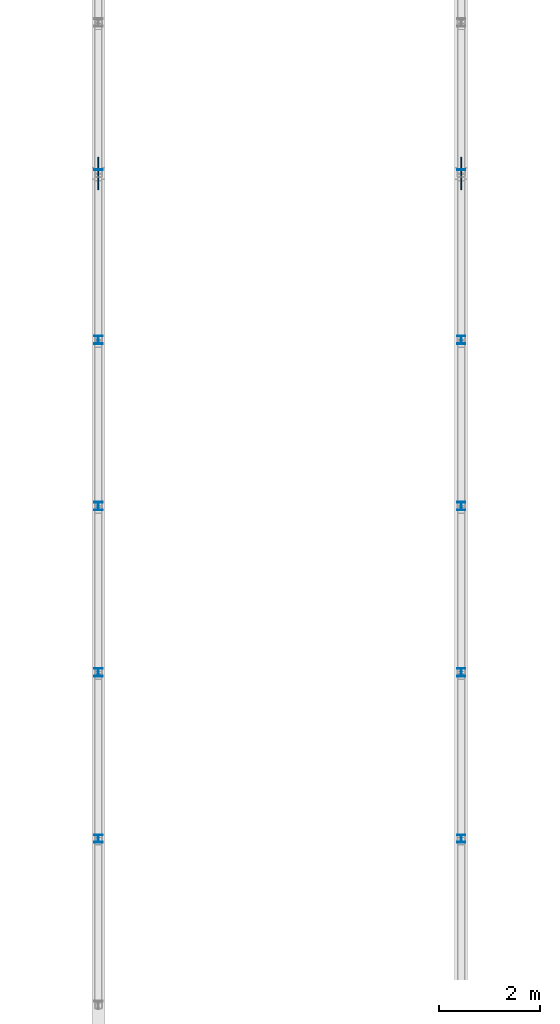
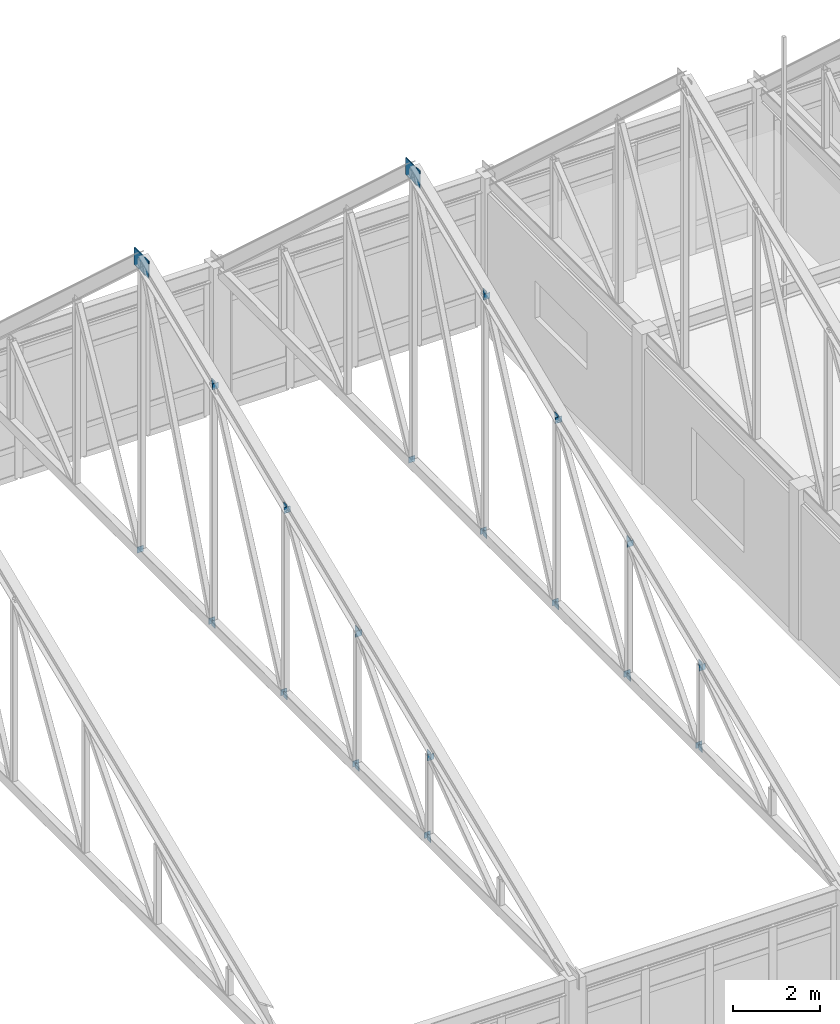
# One storey, part 101 of 136: 36 plates.
"""IFC4 building model written with IfcOpenShell, lengths in metres."""

import ifcopenshell
import ifcopenshell.guid

model = None  # the IFC model being written
_history = None  # IfcOwnerHistory: only IFC2X3 demands one
_inside = {}  # id of a spatial element -> (the spatial element, [elements in it])
_under = {}  # id of a project, library or spatial element -> (it, [spatial elements below it])
_declared = {}  # id of a project -> (the project, [libraries it declares])
_typed = {}  # id of a type object -> (the type object, [elements of that type])
_made_of = {}  # id of a material, layer set ... -> (it, [elements and type objects made of it])


def new_model(schema):
    """Start an empty IFC model of exactly this schema.

    Asked for "IFC4X3", IfcOpenShell would pick the latest addendum, in which some entities
    have other attributes; the version numbers below select the first issue.
    IFC2X3 requires an IfcOwnerHistory on every rooted entity: one is made here for all.
    """
    global model, _history
    if schema == "IFC4X3":
        model = ifcopenshell.file(schema_version=(4, 3, 0, 0))
    else:
        model = ifcopenshell.file(schema=schema)
    _inside.clear()
    _under.clear()
    _declared.clear()
    _typed.clear()
    _made_of.clear()
    _history = None
    if model.schema == "IFC2X3":
        org = make("IfcOrganization", Name="unknown")
        user = make(
            "IfcPersonAndOrganization",
            ThePerson=make("IfcPerson", FamilyName="unknown"),
            TheOrganization=org,
        )
        app = make(
            "IfcApplication",
            ApplicationDeveloper=org,
            Version="unknown",
            ApplicationFullName="unknown",
            ApplicationIdentifier="unknown",
        )
        _history = make(
            "IfcOwnerHistory",
            OwningUser=user,
            OwningApplication=app,
            ChangeAction="ADDED",
            CreationDate=0,
        )
    return model


def make(cls, **values):
    """One entity of the class cls with the attributes given. An attribute that is None is left unset."""
    return model.create_entity(
        cls, **{name: value for name, value in values.items() if value is not None}
    )


def rooted(cls, **values):
    """An entity with a GlobalId (a new one), such as an element, a storey or a relation."""
    return make(cls, GlobalId=ifcopenshell.guid.new(), OwnerHistory=_history, **values)


def si_unit(unit_type, name, prefix=None):
    """IfcSIUnit, for example si_unit("LENGTHUNIT", "METRE", prefix="MILLI")."""
    return make("IfcSIUnit", UnitType=unit_type, Prefix=prefix, Name=name)


def assignment(units):
    """IfcUnitAssignment: the units of a project."""
    return None if units is None else make("IfcUnitAssignment", Units=units)


def point(xyz):
    """IfcCartesianPoint."""
    return None if xyz is None else make("IfcCartesianPoint", Coordinates=xyz)


def direction(xyz):
    """IfcDirection."""
    return None if xyz is None else make("IfcDirection", DirectionRatios=xyz)


def frame(location, z_axis=None, x_axis=None):
    """IfcAxis2Placement3D, a coordinate frame: its origin and axes. An axis left out is left unset."""
    return make(
        "IfcAxis2Placement3D",
        Location=point(location),
        Axis=direction(z_axis),
        RefDirection=direction(x_axis),
    )


def frame_2d(location, x_axis=None):
    """IfcAxis2Placement2D, a coordinate frame in the plane: its origin and x axis."""
    return make(
        "IfcAxis2Placement2D", Location=point(location), RefDirection=direction(x_axis)
    )


def origin():
    """The frame at (0, 0, 0) with its axes left unset."""
    return frame((0.0, 0.0, 0.0))


def origin_2d():
    """The frame at (0, 0) in the plane with its x axis left unset."""
    return frame_2d((0.0, 0.0))


def place(relative_to, where):
    """IfcLocalPlacement: puts the frame where relative to a parent placement (None: the world)."""
    return make(
        "IfcLocalPlacement", PlacementRelTo=relative_to, RelativePlacement=where
    )


def context(
    kind, dimensions, precision=None, world=None, true_north=None, identifier=None
):
    """IfcGeometricRepresentationContext, for example the 3D "Model" context."""
    return make(
        "IfcGeometricRepresentationContext",
        ContextIdentifier=identifier,
        ContextType=kind,
        CoordinateSpaceDimension=dimensions,
        Precision=precision,
        WorldCoordinateSystem=world,
        TrueNorth=true_north,
    )


def subcontext(parent, identifier, kind, view, scale=None):
    """IfcGeometricRepresentationSubContext, for example "Body" below "Model"."""
    return make(
        "IfcGeometricRepresentationSubContext",
        ContextIdentifier=identifier,
        ContextType=kind,
        ParentContext=parent,
        TargetScale=scale,
        TargetView=view,
    )


def project(units=None, contexts=None):
    """IfcProject with its units and contexts."""
    return rooted(
        "IfcProject",
        Name="project",
        RepresentationContexts=contexts,
        UnitsInContext=assignment(units),
    )


def spatial(cls, under=None, at=None, **own):
    """A site, building, storey or space (cls), placed at a placement, below another one or the project."""
    s = rooted(cls, ObjectPlacement=at, **own)
    if under is not None:
        _under.setdefault(under.id(), (under, []))[1].append(s)
    return s


def profile(cls, at=None, kind="AREA", **sizes):
    """A parametric profile (cls). Its sizes go by their IFC names, for example OverallWidth=200.0."""
    return make(cls, ProfileType=kind, Position=at, **sizes)


def rectangle(**sizes):
    """IfcRectangleProfileDef."""
    return profile("IfcRectangleProfileDef", **sizes)


def extrude(swept, where, along, depth):
    """IfcExtrudedAreaSolid: the profile swept, set in the frame where, extruded along a direction by depth."""
    return make(
        "IfcExtrudedAreaSolid",
        SweptArea=swept,
        Position=where,
        ExtrudedDirection=direction(along),
        Depth=depth,
    )


def shape(context_of_items, identifier, shape_type, items):
    """IfcShapeRepresentation: the items that make up one representation, for example the "Body"."""
    return make(
        "IfcShapeRepresentation",
        ContextOfItems=context_of_items,
        RepresentationIdentifier=identifier,
        RepresentationType=shape_type,
        Items=items,
    )


def material(Name=None, Category=None):
    """IfcMaterial."""
    return make("IfcMaterial", Name=Name, Category=Category)


def layer(
    of_material, thickness, ventilated=None, Name=None, Category=None, Priority=None
):
    """IfcMaterialLayer: one layer of a wall or slab, of a material (None: an air gap)."""
    return make(
        "IfcMaterialLayer",
        Material=of_material,
        LayerThickness=thickness,
        IsVentilated=ventilated,
        Name=Name,
        Category=Category,
        Priority=Priority,
    )


def layer_set(layers, Name=None):
    """IfcMaterialLayerSet."""
    return make("IfcMaterialLayerSet", MaterialLayers=layers, LayerSetName=Name)


def made_of(thing, what):
    """Note that an element or type object is made of a material, layer set ...; save() writes the relation."""
    if what is not None:
        _made_of.setdefault(what.id(), (what, []))[1].append(thing)
    return thing


def type_object(cls, material=None, **own):
    """A type object (cls), such as IfcWallType, which elements share."""
    return made_of(rooted(cls, **own), material)


def element(
    cls,
    number,
    at=None,
    inside=None,
    cuts=None,
    type_object=None,
    material=None,
    context=None,
    identifier="Body",
    shape_type=None,
    held_by="IfcProductDefinitionShape",
    body=None,
    shapes=None,
    **own,
):
    """One element of the class cls, such as IfcWall. Its Tag is "e" and its number.

    at: its placement. inside: the storey or other place that contains it. cuts: it is an
    opening in that element (IfcRelVoidsElement). A single representation is given by context,
    identifier, shape_type and body (its items); several are given by shapes. held_by: the class
    of the entity that holds the representations. save() writes the other relations.
    """
    e = rooted(cls, Tag="e%d" % number, ObjectPlacement=at, **own)
    if body is not None:
        shapes = [shape(context, identifier, shape_type, body)]
    if shapes is not None:
        e.Representation = make(held_by, Representations=shapes)
    if inside is not None:
        _inside.setdefault(inside.id(), (inside, []))[1].append(e)
    if cuts is not None:
        rooted(
            "IfcRelVoidsElement", RelatingBuildingElement=cuts, RelatedOpeningElement=e
        )
    if type_object is not None:
        _typed.setdefault(type_object.id(), (type_object, []))[1].append(e)
    return made_of(e, material)


def aggregate(whole, parts):
    """IfcRelAggregates: a whole, such as a stair, and the parts it consists of."""
    return rooted("IfcRelAggregates", RelatingObject=whole, RelatedObjects=parts)


def save(model, path):
    """Write the relations noted so far, then the file.

    IfcRelAggregates (storeys below a building ...), IfcRelContainedInSpatialStructure (elements
    in a storey), IfcRelDefinesByType, IfcRelAssociatesMaterial and IfcRelDeclares: one each for
    every whole, place, type object, material and project.
    """
    for whole, parts in _under.values():
        aggregate(whole, parts)
    for where, things in _inside.values():
        rooted(
            "IfcRelContainedInSpatialStructure",
            RelatedElements=things,
            RelatingStructure=where,
        )
    for kind, things in _typed.values():
        rooted("IfcRelDefinesByType", RelatedObjects=things, RelatingType=kind)
    for what, things in _made_of.values():
        rooted("IfcRelAssociatesMaterial", RelatedObjects=things, RelatingMaterial=what)
    for by, libraries in _declared.values():
        rooted("IfcRelDeclares", RelatingContext=by, RelatedDefinitions=libraries)
    model.write(path)


model = new_model("IFC4")

# Units and contexts
model_context = context("Model", 3, precision=1e-05, world=origin(), true_north=direction((0.0, 1.0)))
body_context = subcontext(model_context, "Body", "Model", "MODEL_VIEW")
ifc_project = project(units=[si_unit("LENGTHUNIT", "METRE"), si_unit("AREAUNIT", "SQUARE_METRE"), si_unit("VOLUMEUNIT", "CUBIC_METRE"), si_unit("PLANEANGLEUNIT", "RADIAN"), si_unit("MASSUNIT", "GRAM", prefix="KILO")], contexts=[model_context])

# Site, building, storey
site_placement = place(None, origin())
site = spatial("IfcSite", under=ifc_project, at=site_placement, CompositionType="ELEMENT")
building_placement = place(site_placement, origin())
building = spatial("IfcBuilding", under=site, at=building_placement, Name="Koriwan Promenade Central Fire Station", CompositionType="ELEMENT")
storey_placement = place(building_placement, frame((0.0, 0.0, 5.39990234375)))
storey = spatial("IfcBuildingStorey", under=building, at=storey_placement, Name="L01", CompositionType="ELEMENT", Elevation=5.39990234375)

# Plates
ifc_material = material(Name="Steel ASTM A572 Grade 50", Category="steel")
ifc_layer_1 = layer(ifc_material, 0.01611328125, Name="Steel ASTM A572 Grade 50")
ifc_layer_set_1 = layer_set([ifc_layer_1], Name="Steel ASTM A572 Grade 50")
plate_type_1 = type_object("IfcPlateType", Name="EndCap_HSS150", PredefinedType="SHEET", material=ifc_layer_set_1)
for number, where, z_axis, x_axis, name in (
    (1, (86.39990234375, 49.800048828125, 3.9296875), (0.0, 0.0, 1.0), (1.0, 0.0, 0.0), "TR_V1_05 vertical 2 end cap 1"),
    (2, (86.39990234375, 49.800048828125, 6.299072265625), (0.0, 0.0, 1.0), (1.0, 0.0, 0.0), "TR_V1_05 vertical 2 end cap 2"),
    (3, (86.39990234375, 53.10009765625, 3.9296875), (0.0, 0.0, 1.0), (1.0, 0.0, 0.0), "TR_V1_05 vertical 3 end cap 1"),
    (4, (86.39990234375, 53.10009765625, 7.765869140625), (0.0, 0.0, 1.0), (1.0, 0.0, 0.0), "TR_V1_05 vertical 3 end cap 2"),
    (5, (86.39990234375, 56.39990234375, 3.9296875), (0.0, 0.0, 1.0), (1.0, 0.0, 0.0), "TR_V1_05 vertical 4 end cap 1"),
    (6, (86.39990234375, 56.39990234375, 9.232666015625), (0.0, 0.0, 1.0), (1.0, 0.0, 0.0), "TR_V1_05 vertical 4 end cap 2"),
    (7, (86.39990234375, 59.699951171875, 3.9296875), (0.0, 0.0, 1.0), (1.0, 0.0, 0.0), "TR_V1_05 vertical 5 end cap 1"),
    (8, (86.39990234375, 59.699951171875, 10.69921875), (0.0, 0.0, 1.0), (1.0, 0.0, 0.0), "TR_V1_05 vertical 5 end cap 2"),
    (9, (86.39990234375, 49.7265625, 6.245849609375), (0.0, 0.0, 1.0), (0.0, 1.0, 0.0), "TR_V1_05 web diagonal 2 end cap 2"),
    (10, (86.39990234375, 49.874755859375, 3.9814453125), (0.0, 0.0, 1.0), (0.0, 1.0, 0.0), "TR_V1_05 web diagonal 3 end cap 1"),
    (11, (86.39990234375, 53.025146484375, 7.7138671875), (0.0, 0.0, 1.0), (0.0, 1.0, 0.0), "TR_V1_05 web diagonal 3 end cap 2"),
    (12, (86.39990234375, 53.17578125, 3.980712890625), (0.0, 0.0, 1.0), (0.0, 1.0, 0.0), "TR_V1_05 web diagonal 4 end cap 1"),
    (13, (86.39990234375, 56.32421875, 9.181396484375), (0.0, 0.0, 1.0), (0.0, 1.0, 0.0), "TR_V1_05 web diagonal 4 end cap 2"),
    (14, (86.39990234375, 56.4765625, 3.98046875), (0.0, 0.0, 1.0), (0.0, 1.0, 0.0), "TR_V1_05 web diagonal 5 end cap 1"),
    (15, (86.39990234375, 59.623291015625, 10.6484375), (0.0, 0.0, 1.0), (0.0, 1.0, 0.0), "TR_V1_05 web diagonal 5 end cap 2"),
    (16, (86.39990234375, 59.777099609375, 3.97998046875), (0.0, 0.0, 1.0), (0.0, 1.0, 0.0), "TR_V1_05 web diagonal 6 end cap 1"),
    (17, (86.39990234375, 63.076171875, 3.98046875), (0.0, 0.0, 1.0), (0.0, 1.0, 0.0), "TR_V1_05 web diagonal 7 end cap 1"),
    (18, (93.60009765625, 49.800048828125, 3.9296875), (0.0, 0.0, 1.0), (1.0, 0.0, 0.0), "TR_V1_06 vertical 2 end cap 1"),
    (19, (93.60009765625, 49.800048828125, 6.299072265625), (0.0, 0.0, 1.0), (1.0, 0.0, 0.0), "TR_V1_06 vertical 2 end cap 2"),
    (20, (93.60009765625, 53.10009765625, 3.9296875), (0.0, 0.0, 1.0), (1.0, 0.0, 0.0), "TR_V1_06 vertical 3 end cap 1"),
    (21, (93.60009765625, 53.10009765625, 7.765869140625), (0.0, 0.0, 1.0), (1.0, 0.0, 0.0), "TR_V1_06 vertical 3 end cap 2"),
    (22, (93.60009765625, 56.39990234375, 3.9296875), (0.0, 0.0, 1.0), (1.0, 0.0, 0.0), "TR_V1_06 vertical 4 end cap 1"),
    (23, (93.60009765625, 56.39990234375, 9.232666015625), (0.0, 0.0, 1.0), (1.0, 0.0, 0.0), "TR_V1_06 vertical 4 end cap 2"),
    (24, (93.60009765625, 59.699951171875, 3.9296875), (0.0, 0.0, 1.0), (1.0, 0.0, 0.0), "TR_V1_06 vertical 5 end cap 1"),
    (25, (93.60009765625, 59.699951171875, 10.69921875), (0.0, 0.0, 1.0), (1.0, 0.0, 0.0), "TR_V1_06 vertical 5 end cap 2"),
    (26, (93.60009765625, 49.7265625, 6.245849609375), (0.0, 0.0, 1.0), (0.0, 1.0, 0.0), "TR_V1_06 web diagonal 2 end cap 2"),
    (27, (93.60009765625, 49.874755859375, 3.9814453125), (0.0, 0.0, 1.0), (0.0, 1.0, 0.0), "TR_V1_06 web diagonal 3 end cap 1"),
    (28, (93.60009765625, 53.025146484375, 7.7138671875), (0.0, 0.0, 1.0), (0.0, 1.0, 0.0), "TR_V1_06 web diagonal 3 end cap 2"),
    (29, (93.60009765625, 53.17578125, 3.980712890625), (0.0, 0.0, 1.0), (0.0, 1.0, 0.0), "TR_V1_06 web diagonal 4 end cap 1"),
    (30, (93.60009765625, 56.32421875, 9.181396484375), (0.0, 0.0, 1.0), (0.0, 1.0, 0.0), "TR_V1_06 web diagonal 4 end cap 2"),
    (31, (93.60009765625, 56.4765625, 3.98046875), (0.0, 0.0, 1.0), (0.0, 1.0, 0.0), "TR_V1_06 web diagonal 5 end cap 1"),
    (32, (93.60009765625, 59.623291015625, 10.6484375), (0.0, 0.0, 1.0), (0.0, 1.0, 0.0), "TR_V1_06 web diagonal 5 end cap 2"),
    (33, (93.60009765625, 59.777099609375, 3.97998046875), (0.0, 0.0, 1.0), (0.0, 1.0, 0.0), "TR_V1_06 web diagonal 6 end cap 1"),
    (34, (93.60009765625, 63.076171875, 3.98046875), (0.0, 0.0, 1.0), (0.0, 1.0, 0.0), "TR_V1_06 web diagonal 7 end cap 1"),
):
    element("IfcPlate", number, at=place(storey_placement, frame(where, z_axis=z_axis, x_axis=x_axis)), inside=storey, type_object=plate_type_1, Name=name, PredefinedType="SHEET", context=body_context, shape_type="SweptSolid", body=[
        extrude(rectangle(XDim=0.01611328125, YDim=0.1650390625, at=origin_2d()), origin(), (0.0, 0.0, 1.0), 0.1650390625),
    ])
ifc_layer_2 = layer(ifc_material, 0.47998046875, Name="Steel ASTM A572 Grade 50")
ifc_layer_set_2 = layer_set([ifc_layer_2], Name="Steel ASTM A572 Grade 50")
plate_type_2 = type_object("IfcPlateType", Name="NodeGusset_Ridge", PredefinedType="SHEET", material=ifc_layer_set_2)
for number, where, z_axis, x_axis, name in (
    (35, (86.39990234375, 63.0, 11.900390625), (0.0, 0.0, 1.0), (1.0, 0.0, 0.0), "TR_V1_05 ridge node gusset TN-R1"),
    (36, (93.60009765625, 63.0, 11.900390625), (0.0, 0.0, 1.0), (1.0, 0.0, 0.0), "TR_V1_06 ridge node gusset TN-R1"),
):
    element("IfcPlate", number, at=place(storey_placement, frame(where, z_axis=z_axis, x_axis=x_axis)), inside=storey, type_object=plate_type_2, Name=name, PredefinedType="SHEET", context=body_context, shape_type="SweptSolid", body=[
        extrude(rectangle(XDim=0.02392578125, YDim=0.64990234375, at=origin_2d()), origin(), (0.0, 0.0, 1.0), 0.47998046875),
    ])

save(model, "model.ifc")
